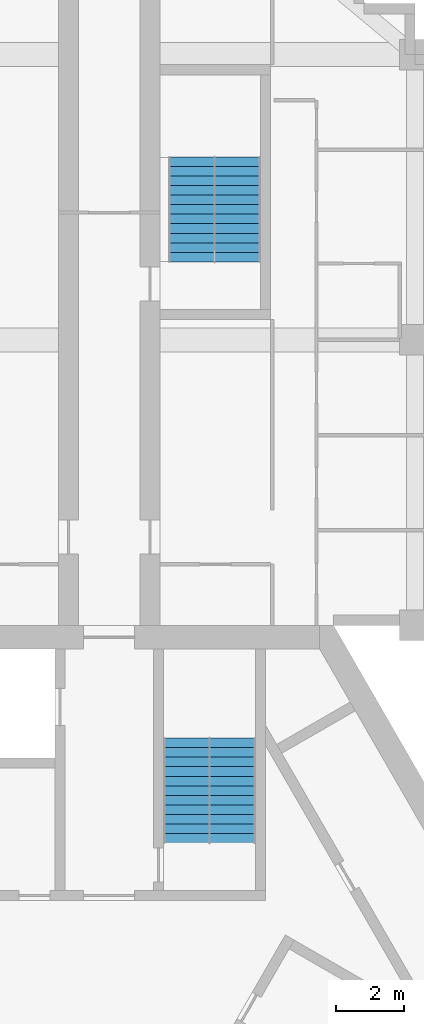
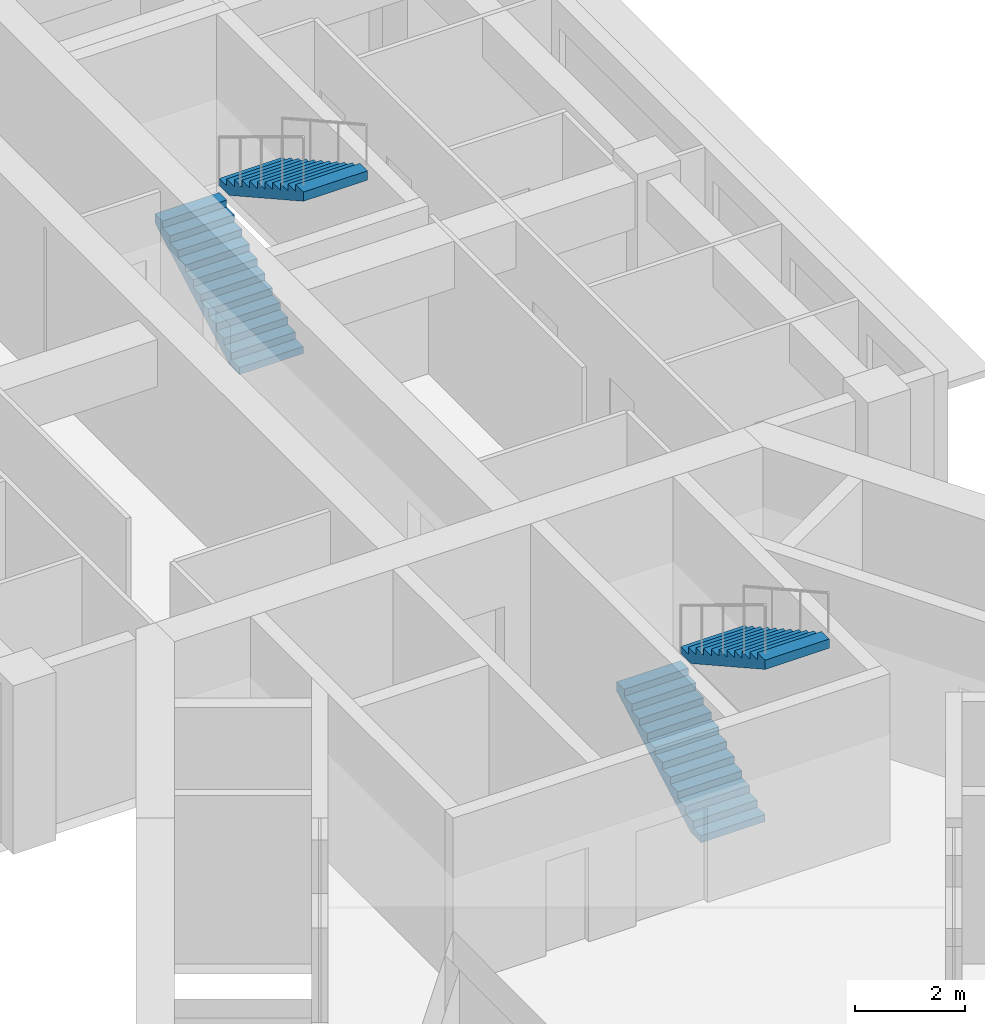
# One storey, part 9 of 10: 4 stair flights, 2 elements without a shape of their own.
"""IFC4 building model written with IfcOpenShell, lengths in metres."""

from ifc_helpers import new_model, si_unit, direction, frame, origin, place, context, subcontext, project, spatial, polyline, outline, extrude, material, type_object, element, aggregate, save


model = new_model("IFC4")

# Units and contexts
model_context = context("Model", 3, precision=1e-05, world=origin(), true_north=direction((0.0, 1.0)))
body_context = subcontext(model_context, "Body", "Model", "MODEL_VIEW")
ifc_project = project(units=[si_unit("LENGTHUNIT", "METRE"), si_unit("AREAUNIT", "SQUARE_METRE"), si_unit("VOLUMEUNIT", "CUBIC_METRE"), si_unit("PLANEANGLEUNIT", "RADIAN"), si_unit("MASSUNIT", "GRAM", prefix="KILO")], contexts=[model_context])

# Site, building, storey
site_placement = place(None, origin())
site = spatial("IfcSite", under=ifc_project, at=site_placement, CompositionType="ELEMENT")
building_placement = place(site_placement, origin())
building = spatial("IfcBuilding", under=site, at=building_placement, Name="Impinga Residences", CompositionType="ELEMENT")
storey_placement = place(building_placement, frame((0.0, 0.0, 263.5)))
storey = spatial("IfcBuildingStorey", under=building, at=storey_placement, Name="L66", CompositionType="ELEMENT", Elevation=263.5)

# Stair, stair flights
ifc_material = material(Name="Concrete C40/50", Category="concrete")
stair_type_1 = type_object("IfcStairType", Name="STR core stair 3750 storey, 24 risers", PredefinedType="HALF_TURN_STAIR", material=ifc_material)
stair_1_placement = place(storey_placement, origin())
stair_1 = element("IfcStair", 1, at=stair_1_placement, inside=storey, type_object=stair_type_1, Name="Stair ST1 L66", PredefinedType="HALF_TURN_STAIR")
stair_flight_type = type_object("IfcStairFlightType", Name="SF 12 risers of 156", PredefinedType="STRAIGHT", material=ifc_material)
stair_flight_1_placement = place(storey_placement, frame((2.27490234375, 5.030029296875, 0.0), z_axis=(0.0, 0.0, 1.0), x_axis=(0.0, 1.0, 0.0)))
stair_flight_1 = element("IfcStairFlight", 2, at=stair_flight_1_placement, type_object=stair_flight_type, Name="ST1 flight 1", NumberOfRisers=12, NumberOfTreads=11, PredefinedType="STRAIGHT", RiserHeight=0.15625, TreadLength=0.28, context=body_context, shape_type="SweptSolid", body=[
    extrude(outline(polyline([(0.0, 0.0), (0.0, 0.15625), (0.280029296875, 0.15625), (0.280029296875, 0.3125), (0.56005859375, 0.3125), (0.56005859375, 0.46875), (0.840087890625, 0.46875), (0.840087890625, 0.625), (1.1201171875, 0.625), (1.1201171875, 0.78125), (1.39990234375, 0.78125), (1.39990234375, 0.9375), (1.679931640625, 0.9375), (1.679931640625, 1.09375), (1.9599609375, 1.09375), (1.9599609375, 1.25), (2.239990234375, 1.25), (2.239990234375, 1.40625), (2.52001953125, 1.40625), (2.52001953125, 1.5625), (2.800048828125, 1.5625), (2.800048828125, 1.71875), (3.080078125, 1.71875), (3.080078125, 1.875), (3.080078125, 1.5126953125), (0.369140625, 0.0), (0.0, 0.0)])), frame((0.0, 0.675048828125, 0.0), z_axis=(0.0, -1.0, 0.0), x_axis=(1.0, 0.0, 0.0)), (0.0, 0.0, 1.0), 1.35009765625),
])
stair_flight_2_placement = place(storey_placement, frame((3.625, 8.110107421875, 1.875), z_axis=(0.0, 0.0, 1.0), x_axis=(0.0, -1.0, 0.0)))
stair_flight_2 = element("IfcStairFlight", 3, at=stair_flight_2_placement, type_object=stair_flight_type, Name="ST1 flight 2", NumberOfRisers=12, NumberOfTreads=11, PredefinedType="STRAIGHT", RiserHeight=0.15625, TreadLength=0.28, context=body_context, shape_type="SweptSolid", body=[
    extrude(outline(polyline([(0.0, 0.0), (0.0, 0.15625), (0.280029296875, 0.15625), (0.280029296875, 0.3125), (0.56005859375, 0.3125), (0.56005859375, 0.46875), (0.840087890625, 0.46875), (0.840087890625, 0.625), (1.1201171875, 0.625), (1.1201171875, 0.78125), (1.39990234375, 0.78125), (1.39990234375, 0.9375), (1.679931640625, 0.9375), (1.679931640625, 1.09375), (1.9599609375, 1.09375), (1.9599609375, 1.25), (2.239990234375, 1.25), (2.239990234375, 1.40625), (2.52001953125, 1.40625), (2.52001953125, 1.5625), (2.800048828125, 1.5625), (2.800048828125, 1.71875), (3.080078125, 1.71875), (3.080078125, 1.875), (3.080078125, 1.5126953125), (0.369140625, 0.0), (0.0, 0.0)])), frame((0.0, 0.675048828125, 0.0), z_axis=(0.0, -1.0, 0.0), x_axis=(1.0, 0.0, 0.0)), (0.0, 0.0, 1.0), 1.35009765625),
])
aggregate(stair_1, [stair_flight_1, stair_flight_2])

stair_type_2 = type_object("IfcStairType", Name="STR wing stair 3750 storey, 24 risers", PredefinedType="HALF_TURN_STAIR", material=ifc_material)
stair_2_placement = place(storey_placement, origin())
stair_2 = element("IfcStair", 4, at=stair_2_placement, inside=storey, type_object=stair_type_2, Name="Stair WS1 L66", PredefinedType="HALF_TURN_STAIR")
stair_flight_3_placement = place(storey_placement, frame((2.425048828125, 22.131591796875, 0.0), z_axis=(0.0, 0.0, 1.0), x_axis=(0.0, 1.0, 0.0)))
stair_flight_3 = element("IfcStairFlight", 5, at=stair_flight_3_placement, type_object=stair_flight_type, Name="WS1 flight 1", NumberOfRisers=12, NumberOfTreads=11, PredefinedType="STRAIGHT", RiserHeight=0.15625, TreadLength=0.28, context=body_context, shape_type="SweptSolid", body=[
    extrude(outline(polyline([(0.0, 0.0), (0.0, 0.15625), (0.280029296875, 0.15625), (0.280029296875, 0.3125), (0.56005859375, 0.3125), (0.56005859375, 0.46875), (0.840087890625, 0.46875), (0.840087890625, 0.625), (1.1201171875, 0.625), (1.1201171875, 0.78125), (1.39990234375, 0.78125), (1.39990234375, 0.9375), (1.679931640625, 0.9375), (1.679931640625, 1.09375), (1.9599609375, 1.09375), (1.9599609375, 1.25), (2.239990234375, 1.25), (2.239990234375, 1.40625), (2.52001953125, 1.40625), (2.52001953125, 1.5625), (2.800048828125, 1.5625), (2.800048828125, 1.71875), (3.080078125, 1.71875), (3.080078125, 1.875), (3.080078125, 1.5126953125), (0.369140625, 0.0), (0.0, 0.0)])), frame((0.0, 0.675048828125, 0.0), z_axis=(0.0, -1.0, 0.0), x_axis=(1.0, 0.0, 0.0)), (0.0, 0.0, 1.0), 1.35009765625),
])
stair_flight_4_placement = place(storey_placement, frame((3.77490234375, 25.21142578125, 1.875), z_axis=(0.0, 0.0, 1.0), x_axis=(0.0, -1.0, 0.0)))
stair_flight_4 = element("IfcStairFlight", 6, at=stair_flight_4_placement, type_object=stair_flight_type, Name="WS1 flight 2", NumberOfRisers=12, NumberOfTreads=11, PredefinedType="STRAIGHT", RiserHeight=0.15625, TreadLength=0.28, context=body_context, shape_type="SweptSolid", body=[
    extrude(outline(polyline([(0.0, 0.0), (0.0, 0.15625), (0.280029296875, 0.15625), (0.280029296875, 0.3125), (0.56005859375, 0.3125), (0.56005859375, 0.46875), (0.840087890625, 0.46875), (0.840087890625, 0.625), (1.1201171875, 0.625), (1.1201171875, 0.78125), (1.39990234375, 0.78125), (1.39990234375, 0.9375), (1.679931640625, 0.9375), (1.679931640625, 1.09375), (1.9599609375, 1.09375), (1.9599609375, 1.25), (2.239990234375, 1.25), (2.239990234375, 1.40625), (2.52001953125, 1.40625), (2.52001953125, 1.5625), (2.800048828125, 1.5625), (2.800048828125, 1.71875), (3.080078125, 1.71875), (3.080078125, 1.875), (3.080078125, 1.5126953125), (0.369140625, 0.0), (0.0, 0.0)])), frame((0.0, 0.675048828125, 0.0), z_axis=(0.0, -1.0, 0.0), x_axis=(1.0, 0.0, 0.0)), (0.0, 0.0, 1.0), 1.35009765625),
])
aggregate(stair_2, [stair_flight_3, stair_flight_4])

save(model, "model.ifc")
